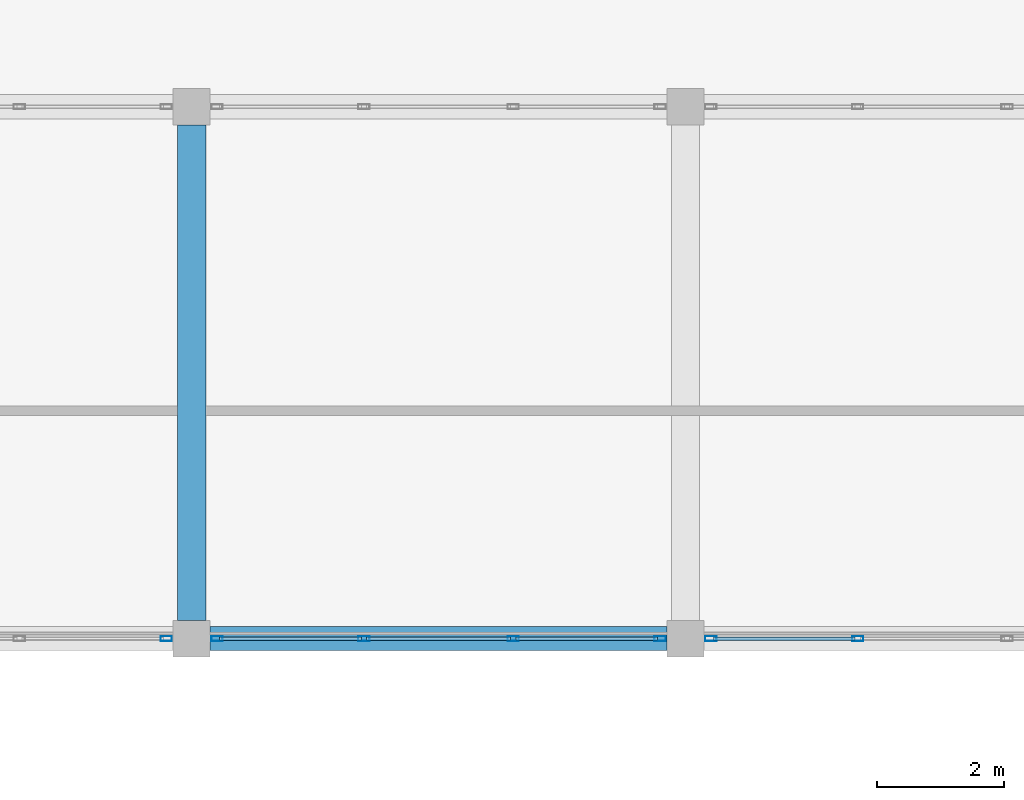
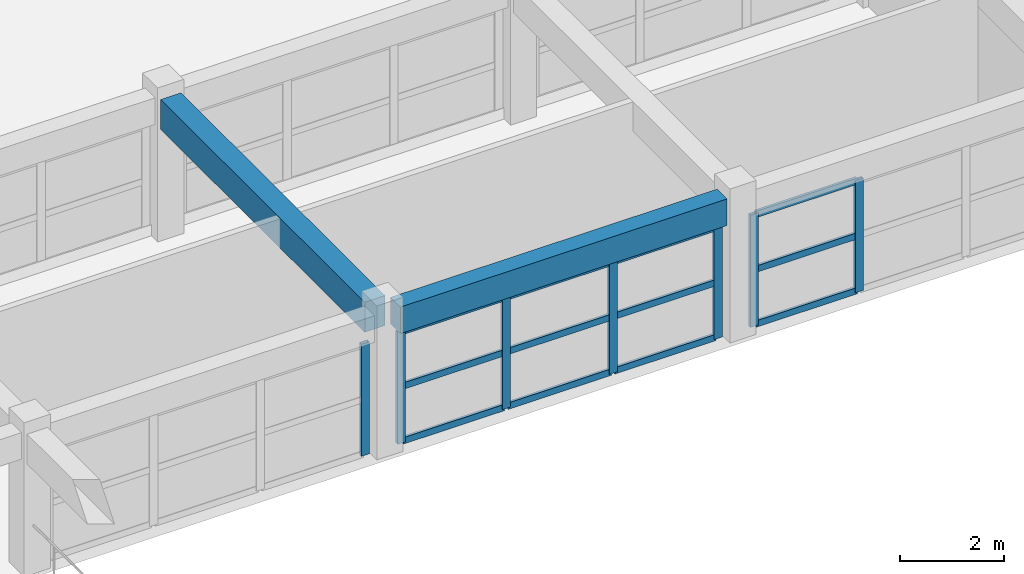
# One storey, part 69 of 101: 19 members, 2 beams, 3 elements without a shape of their own.
"""IFC4 building model written with IfcOpenShell, lengths in metres."""

import ifcopenshell
import ifcopenshell.guid

model = None  # the IFC model being written
_history = None  # IfcOwnerHistory: only IFC2X3 demands one
_inside = {}  # id of a spatial element -> (the spatial element, [elements in it])
_under = {}  # id of a project, library or spatial element -> (it, [spatial elements below it])
_declared = {}  # id of a project -> (the project, [libraries it declares])
_typed = {}  # id of a type object -> (the type object, [elements of that type])
_made_of = {}  # id of a material, layer set ... -> (it, [elements and type objects made of it])


def new_model(schema):
    """Start an empty IFC model of exactly this schema.

    Asked for "IFC4X3", IfcOpenShell would pick the latest addendum, in which some entities
    have other attributes; the version numbers below select the first issue.
    IFC2X3 requires an IfcOwnerHistory on every rooted entity: one is made here for all.
    """
    global model, _history
    if schema == "IFC4X3":
        model = ifcopenshell.file(schema_version=(4, 3, 0, 0))
    else:
        model = ifcopenshell.file(schema=schema)
    _inside.clear()
    _under.clear()
    _declared.clear()
    _typed.clear()
    _made_of.clear()
    _history = None
    if model.schema == "IFC2X3":
        org = make("IfcOrganization", Name="unknown")
        user = make(
            "IfcPersonAndOrganization",
            ThePerson=make("IfcPerson", FamilyName="unknown"),
            TheOrganization=org,
        )
        app = make(
            "IfcApplication",
            ApplicationDeveloper=org,
            Version="unknown",
            ApplicationFullName="unknown",
            ApplicationIdentifier="unknown",
        )
        _history = make(
            "IfcOwnerHistory",
            OwningUser=user,
            OwningApplication=app,
            ChangeAction="ADDED",
            CreationDate=0,
        )
    return model


def make(cls, **values):
    """One entity of the class cls with the attributes given. An attribute that is None is left unset."""
    return model.create_entity(
        cls, **{name: value for name, value in values.items() if value is not None}
    )


def rooted(cls, **values):
    """An entity with a GlobalId (a new one), such as an element, a storey or a relation."""
    return make(cls, GlobalId=ifcopenshell.guid.new(), OwnerHistory=_history, **values)


def si_unit(unit_type, name, prefix=None):
    """IfcSIUnit, for example si_unit("LENGTHUNIT", "METRE", prefix="MILLI")."""
    return make("IfcSIUnit", UnitType=unit_type, Prefix=prefix, Name=name)


def assignment(units):
    """IfcUnitAssignment: the units of a project."""
    return None if units is None else make("IfcUnitAssignment", Units=units)


def point(xyz):
    """IfcCartesianPoint."""
    return None if xyz is None else make("IfcCartesianPoint", Coordinates=xyz)


def direction(xyz):
    """IfcDirection."""
    return None if xyz is None else make("IfcDirection", DirectionRatios=xyz)


def frame(location, z_axis=None, x_axis=None):
    """IfcAxis2Placement3D, a coordinate frame: its origin and axes. An axis left out is left unset."""
    return make(
        "IfcAxis2Placement3D",
        Location=point(location),
        Axis=direction(z_axis),
        RefDirection=direction(x_axis),
    )


def frame_2d(location, x_axis=None):
    """IfcAxis2Placement2D, a coordinate frame in the plane: its origin and x axis."""
    return make(
        "IfcAxis2Placement2D", Location=point(location), RefDirection=direction(x_axis)
    )


def origin():
    """The frame at (0, 0, 0) with its axes left unset."""
    return frame((0.0, 0.0, 0.0))


def origin_2d():
    """The frame at (0, 0) in the plane with its x axis left unset."""
    return frame_2d((0.0, 0.0))


def place(relative_to, where):
    """IfcLocalPlacement: puts the frame where relative to a parent placement (None: the world)."""
    return make(
        "IfcLocalPlacement", PlacementRelTo=relative_to, RelativePlacement=where
    )


def context(
    kind, dimensions, precision=None, world=None, true_north=None, identifier=None
):
    """IfcGeometricRepresentationContext, for example the 3D "Model" context."""
    return make(
        "IfcGeometricRepresentationContext",
        ContextIdentifier=identifier,
        ContextType=kind,
        CoordinateSpaceDimension=dimensions,
        Precision=precision,
        WorldCoordinateSystem=world,
        TrueNorth=true_north,
    )


def subcontext(parent, identifier, kind, view, scale=None):
    """IfcGeometricRepresentationSubContext, for example "Body" below "Model"."""
    return make(
        "IfcGeometricRepresentationSubContext",
        ContextIdentifier=identifier,
        ContextType=kind,
        ParentContext=parent,
        TargetScale=scale,
        TargetView=view,
    )


def project(units=None, contexts=None):
    """IfcProject with its units and contexts."""
    return rooted(
        "IfcProject",
        Name="project",
        RepresentationContexts=contexts,
        UnitsInContext=assignment(units),
    )


def spatial(cls, under=None, at=None, **own):
    """A site, building, storey or space (cls), placed at a placement, below another one or the project."""
    s = rooted(cls, ObjectPlacement=at, **own)
    if under is not None:
        _under.setdefault(under.id(), (under, []))[1].append(s)
    return s


def profile(cls, at=None, kind="AREA", **sizes):
    """A parametric profile (cls). Its sizes go by their IFC names, for example OverallWidth=200.0."""
    return make(cls, ProfileType=kind, Position=at, **sizes)


def rectangle(**sizes):
    """IfcRectangleProfileDef."""
    return profile("IfcRectangleProfileDef", **sizes)


def hollow_rectangle(**sizes):
    """IfcRectangleHollowProfileDef."""
    return profile("IfcRectangleHollowProfileDef", **sizes)


def extrude(swept, where, along, depth):
    """IfcExtrudedAreaSolid: the profile swept, set in the frame where, extruded along a direction by depth."""
    return make(
        "IfcExtrudedAreaSolid",
        SweptArea=swept,
        Position=where,
        ExtrudedDirection=direction(along),
        Depth=depth,
    )


def shape(context_of_items, identifier, shape_type, items):
    """IfcShapeRepresentation: the items that make up one representation, for example the "Body"."""
    return make(
        "IfcShapeRepresentation",
        ContextOfItems=context_of_items,
        RepresentationIdentifier=identifier,
        RepresentationType=shape_type,
        Items=items,
    )


def material(Name=None, Category=None):
    """IfcMaterial."""
    return make("IfcMaterial", Name=Name, Category=Category)


def layer(
    of_material, thickness, ventilated=None, Name=None, Category=None, Priority=None
):
    """IfcMaterialLayer: one layer of a wall or slab, of a material (None: an air gap)."""
    return make(
        "IfcMaterialLayer",
        Material=of_material,
        LayerThickness=thickness,
        IsVentilated=ventilated,
        Name=Name,
        Category=Category,
        Priority=Priority,
    )


def layer_set(layers, Name=None):
    """IfcMaterialLayerSet."""
    return make("IfcMaterialLayerSet", MaterialLayers=layers, LayerSetName=Name)


def material_profile(
    of_material, cross_section, Name=None, Category=None, Priority=None
):
    """IfcMaterialProfile: a cross section and its material."""
    return make(
        "IfcMaterialProfile",
        Name=Name,
        Material=of_material,
        Profile=cross_section,
        Priority=Priority,
        Category=Category,
    )


def profile_set(profiles, Name=None, composite=None):
    """IfcMaterialProfileSet."""
    return make(
        "IfcMaterialProfileSet",
        Name=Name,
        MaterialProfiles=profiles,
        CompositeProfile=composite,
    )


def made_of(thing, what):
    """Note that an element or type object is made of a material, layer set ...; save() writes the relation."""
    if what is not None:
        _made_of.setdefault(what.id(), (what, []))[1].append(thing)
    return thing


def type_object(cls, material=None, **own):
    """A type object (cls), such as IfcWallType, which elements share."""
    return made_of(rooted(cls, **own), material)


def element(
    cls,
    number,
    at=None,
    inside=None,
    cuts=None,
    type_object=None,
    material=None,
    context=None,
    identifier="Body",
    shape_type=None,
    held_by="IfcProductDefinitionShape",
    body=None,
    shapes=None,
    **own,
):
    """One element of the class cls, such as IfcWall. Its Tag is "e" and its number.

    at: its placement. inside: the storey or other place that contains it. cuts: it is an
    opening in that element (IfcRelVoidsElement). A single representation is given by context,
    identifier, shape_type and body (its items); several are given by shapes. held_by: the class
    of the entity that holds the representations. save() writes the other relations.
    """
    e = rooted(cls, Tag="e%d" % number, ObjectPlacement=at, **own)
    if body is not None:
        shapes = [shape(context, identifier, shape_type, body)]
    if shapes is not None:
        e.Representation = make(held_by, Representations=shapes)
    if inside is not None:
        _inside.setdefault(inside.id(), (inside, []))[1].append(e)
    if cuts is not None:
        rooted(
            "IfcRelVoidsElement", RelatingBuildingElement=cuts, RelatedOpeningElement=e
        )
    if type_object is not None:
        _typed.setdefault(type_object.id(), (type_object, []))[1].append(e)
    return made_of(e, material)


def aggregate(whole, parts):
    """IfcRelAggregates: a whole, such as a stair, and the parts it consists of."""
    return rooted("IfcRelAggregates", RelatingObject=whole, RelatedObjects=parts)


def save(model, path):
    """Write the relations noted so far, then the file.

    IfcRelAggregates (storeys below a building ...), IfcRelContainedInSpatialStructure (elements
    in a storey), IfcRelDefinesByType, IfcRelAssociatesMaterial and IfcRelDeclares: one each for
    every whole, place, type object, material and project.
    """
    for whole, parts in _under.values():
        aggregate(whole, parts)
    for where, things in _inside.values():
        rooted(
            "IfcRelContainedInSpatialStructure",
            RelatedElements=things,
            RelatingStructure=where,
        )
    for kind, things in _typed.values():
        rooted("IfcRelDefinesByType", RelatedObjects=things, RelatingType=kind)
    for what, things in _made_of.values():
        rooted("IfcRelAssociatesMaterial", RelatedObjects=things, RelatingMaterial=what)
    for by, libraries in _declared.values():
        rooted("IfcRelDeclares", RelatingContext=by, RelatedDefinitions=libraries)
    model.write(path)


model = new_model("IFC4")

# Units and contexts
model_context = context("Model", 3, precision=1e-05, world=origin(), true_north=direction((0.0, 1.0)))
body_context = subcontext(model_context, "Body", "Model", "MODEL_VIEW")
ifc_project = project(units=[si_unit("LENGTHUNIT", "METRE"), si_unit("AREAUNIT", "SQUARE_METRE"), si_unit("VOLUMEUNIT", "CUBIC_METRE"), si_unit("PLANEANGLEUNIT", "RADIAN"), si_unit("MASSUNIT", "GRAM", prefix="KILO")], contexts=[model_context])

# Site, building, storey
site_placement = place(None, origin())
site = spatial("IfcSite", under=ifc_project, at=site_placement, CompositionType="ELEMENT")
building_placement = place(site_placement, origin())
building = spatial("IfcBuilding", under=site, at=building_placement, Name="Zizhar Promenade General Hospital", CompositionType="ELEMENT")
storey_placement = place(building_placement, frame((0.0, 0.0, 14.39990234375)))
storey = spatial("IfcBuildingStorey", under=building, at=storey_placement, Name="L03", CompositionType="ELEMENT", Elevation=14.39990234375)

# Beams
ifc_material_1 = material(Name="Concrete C35/45", Category="concrete")
ifc_material_profile_1 = material_profile(ifc_material_1, rectangle(XDim=0.3798828125, YDim=0.6201171875, at=origin_2d()))
ifc_profile_set_1 = profile_set([ifc_material_profile_1], Name="Concrete C35/45")
beam_type_1 = type_object("IfcBeamType", Name="BM-RC-380x620", PredefinedType="JOIST", material=ifc_profile_set_1)
beam_1_placement = place(storey_placement, frame((156.2900390625, 92.39990234375, 3.0), z_axis=(1.0, 0.0, 0.0), x_axis=(0.0, 1.0, 0.0)))
element("IfcBeam", 1, at=beam_1_placement, inside=storey, type_object=beam_type_1, Name="Grid Beam X L03 (20-11)", PredefinedType="JOIST", context=body_context, shape_type="SweptSolid", body=[
    extrude(rectangle(XDim=0.3798828125, YDim=0.6201171875, at=origin_2d()), origin(), (0.0, 0.0, 1.0), 7.219970703125),
])
ifc_material_2 = material(Name="Concrete C35/45", Category="concrete")
ifc_material_profile_2 = material_profile(ifc_material_2, rectangle(XDim=0.449951171875, YDim=0.699951171875, at=origin_2d()))
ifc_profile_set_2 = profile_set([ifc_material_profile_2], Name="Concrete C35/45")
beam_type_2 = type_object("IfcBeamType", Name="BM-RC-450x700", PredefinedType="BEAM", material=ifc_profile_set_2)
beam_2_placement = place(storey_placement, frame((156.0, 92.68994140625, 2.960205078125), z_axis=(0.0, 1.0, 0.0), x_axis=(-1.0, 0.0, 0.0)))
element("IfcBeam", 2, at=beam_2_placement, inside=storey, type_object=beam_type_2, Name="Grid Beam Y L03 (20-11)", PredefinedType="BEAM", context=body_context, shape_type="SweptSolid", body=[
    extrude(rectangle(XDim=0.449951171875, YDim=0.699951171875, at=origin_2d()), origin(), (0.0, 0.0, 1.0), 7.820068359375),
])

# Curtain wall, member
ifc_material_3 = material(Name="Anodised aluminium 6063-T6 and low-E glass", Category="aluminium")
ifc_layer = layer(ifc_material_3, 0.159912109375)
ifc_layer_set = layer_set([ifc_layer], Name="Anodised aluminium 6063-T6 and low-E glass")
curtain_wall_type = type_object("IfcCurtainWallType", Name="CW-CLN-CRT", PredefinedType="NOTDEFINED", material=ifc_layer_set)
curtain_wall_1_placement = place(storey_placement, origin())
curtain_wall_1 = element("IfcCurtainWall", 3, at=curtain_wall_1_placement, inside=storey, type_object=curtain_wall_type, Name="East Light Court North Glazing L03-19", PredefinedType="NOTDEFINED")
ifc_material_4 = material(Name="Anodised aluminium 6063-T6", Category="aluminium")
ifc_material_profile_3 = material_profile(ifc_material_4, hollow_rectangle(XDim=0.080078125, YDim=0.179931640625, WallThickness=0.0048828125, at=origin_2d()))
ifc_profile_set_3 = profile_set([ifc_material_profile_3], Name="Anodised aluminium 6063-T6")
member_type_1 = type_object("IfcMemberType", Name="CWM-ALU-180x80", PredefinedType="MULLION", material=ifc_profile_set_3)
member_1_placement = place(storey_placement, frame((155.60009765625, 92.39990234375, 0.0), z_axis=(0.0, 0.0, 1.0), x_axis=(0.0, -1.0, 0.0)))
member_1 = element("IfcMember", 4, at=member_1_placement, type_object=member_type_1, Name="CW-10 mullion 1", PredefinedType="MULLION", context=body_context, shape_type="SweptSolid", body=[
    extrude(hollow_rectangle(XDim=0.080078125, YDim=0.179931640625, WallThickness=0.0048828125, at=origin_2d()), origin(), (0.0, 0.0, 1.0), 2.6201171875),
])
aggregate(curtain_wall_1, [member_1])

# Curtain wall, members
curtain_wall_2_placement = place(storey_placement, origin())
curtain_wall_2 = element("IfcCurtainWall", 5, at=curtain_wall_2_placement, inside=storey, type_object=curtain_wall_type, Name="East Light Court North Glazing L03-20", PredefinedType="NOTDEFINED")
member_2_placement = place(storey_placement, frame((163.39990234375, 92.39990234375, 0.0), z_axis=(0.0, 0.0, 1.0), x_axis=(0.0, -1.0, 0.0)))
member_2 = element("IfcMember", 6, at=member_2_placement, type_object=member_type_1, Name="CW-10 mullion 1", PredefinedType="MULLION", context=body_context, shape_type="SweptSolid", body=[
    extrude(hollow_rectangle(XDim=0.080078125, YDim=0.179931640625, WallThickness=0.0048828125, at=origin_2d()), origin(), (0.0, 0.0, 1.0), 2.6201171875),
])
member_3_placement = place(storey_placement, frame((161.080078125, 92.39990234375, 0.0), z_axis=(0.0, 0.0, 1.0), x_axis=(0.0, -1.0, 0.0)))
member_3 = element("IfcMember", 7, at=member_3_placement, type_object=member_type_1, Name="CW-10 mullion 2", PredefinedType="MULLION", context=body_context, shape_type="SweptSolid", body=[
    extrude(hollow_rectangle(XDim=0.080078125, YDim=0.179931640625, WallThickness=0.0048828125, at=origin_2d()), origin(), (0.0, 0.0, 1.0), 2.6201171875),
])
member_4_placement = place(storey_placement, frame((158.719970703125, 92.39990234375, 0.0), z_axis=(0.0, 0.0, 1.0), x_axis=(0.0, -1.0, 0.0)))
member_4 = element("IfcMember", 8, at=member_4_placement, type_object=member_type_1, Name="CW-10 mullion 3", PredefinedType="MULLION", context=body_context, shape_type="SweptSolid", body=[
    extrude(hollow_rectangle(XDim=0.080078125, YDim=0.179931640625, WallThickness=0.0048828125, at=origin_2d()), origin(), (0.0, 0.0, 1.0), 2.6201171875),
])
member_5_placement = place(storey_placement, frame((156.39990234375, 92.39990234375, 0.0), z_axis=(0.0, 0.0, 1.0), x_axis=(0.0, -1.0, 0.0)))
member_5 = element("IfcMember", 9, at=member_5_placement, type_object=member_type_1, Name="CW-10 mullion 4", PredefinedType="MULLION", context=body_context, shape_type="SweptSolid", body=[
    extrude(hollow_rectangle(XDim=0.080078125, YDim=0.179931640625, WallThickness=0.0048828125, at=origin_2d()), origin(), (0.0, 0.0, 1.0), 2.6201171875),
])

curtain_wall_3_placement = place(storey_placement, origin())
curtain_wall_3 = element("IfcCurtainWall", 10, at=curtain_wall_3_placement, inside=storey, type_object=curtain_wall_type, Name="East Light Court North Glazing L03-21", PredefinedType="NOTDEFINED")
member_6_placement = place(storey_placement, frame((166.52001953125, 92.39990234375, 0.0), z_axis=(0.0, 0.0, 1.0), x_axis=(0.0, -1.0, 0.0)))
member_6 = element("IfcMember", 11, at=member_6_placement, type_object=member_type_1, Name="CW-10 mullion 3", PredefinedType="MULLION", context=body_context, shape_type="SweptSolid", body=[
    extrude(hollow_rectangle(XDim=0.080078125, YDim=0.179931640625, WallThickness=0.0048828125, at=origin_2d()), origin(), (0.0, 0.0, 1.0), 2.6201171875),
])
member_7_placement = place(storey_placement, frame((164.199951171875, 92.39990234375, 0.0), z_axis=(0.0, 0.0, 1.0), x_axis=(0.0, -1.0, 0.0)))
member_7 = element("IfcMember", 12, at=member_7_placement, type_object=member_type_1, Name="CW-10 mullion 4", PredefinedType="MULLION", context=body_context, shape_type="SweptSolid", body=[
    extrude(hollow_rectangle(XDim=0.080078125, YDim=0.179931640625, WallThickness=0.0048828125, at=origin_2d()), origin(), (0.0, 0.0, 1.0), 2.6201171875),
])

# Member
ifc_material_5 = material(Name="Anodised aluminium 6063-T6", Category="aluminium")
ifc_material_profile_4 = material_profile(ifc_material_5, hollow_rectangle(XDim=0.06005859375, YDim=0.14990234375, WallThickness=0.00390625, at=origin_2d()))
ifc_profile_set_4 = profile_set([ifc_material_profile_4], Name="Anodised aluminium 6063-T6")
member_type_2 = type_object("IfcMemberType", Name="CWT-ALU-150x60", PredefinedType="USERDEFINED", material=ifc_profile_set_4)
member_8_placement = place(storey_placement, frame((163.360107421875, 92.39990234375, 0.030029296875), z_axis=(-1.0, 0.0, 0.0), x_axis=(0.0, -1.0, 0.0)))
member_8 = element("IfcMember", 13, at=member_8_placement, type_object=member_type_2, Name="CW-10 transom 1.1", ObjectType="TRANSOM", PredefinedType="USERDEFINED", context=body_context, shape_type="SweptSolid", body=[
    extrude(hollow_rectangle(XDim=0.06005859375, YDim=0.14990234375, WallThickness=0.00390625, at=origin_2d()), origin(), (0.0, 0.0, 1.0), 2.239990234375),
])

member_9_placement = place(storey_placement, frame((163.360107421875, 92.39990234375, 1.31005859375), z_axis=(-1.0, 0.0, 0.0), x_axis=(0.0, -1.0, 0.0)))
member_9 = element("IfcMember", 14, at=member_9_placement, type_object=member_type_2, Name="CW-10 transom 1.2", ObjectType="TRANSOM", PredefinedType="USERDEFINED", context=body_context, shape_type="SweptSolid", body=[
    extrude(hollow_rectangle(XDim=0.06005859375, YDim=0.14990234375, WallThickness=0.00390625, at=origin_2d()), origin(), (0.0, 0.0, 1.0), 2.239990234375),
])

member_10_placement = place(storey_placement, frame((163.360107421875, 92.39990234375, 2.590087890625), z_axis=(-1.0, 0.0, 0.0), x_axis=(0.0, -1.0, 0.0)))
member_10 = element("IfcMember", 15, at=member_10_placement, type_object=member_type_2, Name="CW-10 transom 1.3", ObjectType="TRANSOM", PredefinedType="USERDEFINED", context=body_context, shape_type="SweptSolid", body=[
    extrude(hollow_rectangle(XDim=0.06005859375, YDim=0.14990234375, WallThickness=0.00390625, at=origin_2d()), origin(), (0.0, 0.0, 1.0), 2.239990234375),
])

member_11_placement = place(storey_placement, frame((161.0400390625, 92.39990234375, 0.030029296875), z_axis=(-1.0, 0.0, 0.0), x_axis=(0.0, -1.0, 0.0)))
member_11 = element("IfcMember", 16, at=member_11_placement, type_object=member_type_2, Name="CW-10 transom 2.1", ObjectType="TRANSOM", PredefinedType="USERDEFINED", context=body_context, shape_type="SweptSolid", body=[
    extrude(hollow_rectangle(XDim=0.06005859375, YDim=0.14990234375, WallThickness=0.00390625, at=origin_2d()), origin(), (0.0, 0.0, 1.0), 2.280029296875),
])

member_12_placement = place(storey_placement, frame((161.0400390625, 92.39990234375, 1.31005859375), z_axis=(-1.0, 0.0, 0.0), x_axis=(0.0, -1.0, 0.0)))
member_12 = element("IfcMember", 17, at=member_12_placement, type_object=member_type_2, Name="CW-10 transom 2.2", ObjectType="TRANSOM", PredefinedType="USERDEFINED", context=body_context, shape_type="SweptSolid", body=[
    extrude(hollow_rectangle(XDim=0.06005859375, YDim=0.14990234375, WallThickness=0.00390625, at=origin_2d()), origin(), (0.0, 0.0, 1.0), 2.280029296875),
])

member_13_placement = place(storey_placement, frame((161.0400390625, 92.39990234375, 2.590087890625), z_axis=(-1.0, 0.0, 0.0), x_axis=(0.0, -1.0, 0.0)))
member_13 = element("IfcMember", 18, at=member_13_placement, type_object=member_type_2, Name="CW-10 transom 2.3", ObjectType="TRANSOM", PredefinedType="USERDEFINED", context=body_context, shape_type="SweptSolid", body=[
    extrude(hollow_rectangle(XDim=0.06005859375, YDim=0.14990234375, WallThickness=0.00390625, at=origin_2d()), origin(), (0.0, 0.0, 1.0), 2.280029296875),
])

member_14_placement = place(storey_placement, frame((158.679931640625, 92.39990234375, 0.030029296875), z_axis=(-1.0, 0.0, 0.0), x_axis=(0.0, -1.0, 0.0)))
member_14 = element("IfcMember", 19, at=member_14_placement, type_object=member_type_2, Name="CW-10 transom 3.1", ObjectType="TRANSOM", PredefinedType="USERDEFINED", context=body_context, shape_type="SweptSolid", body=[
    extrude(hollow_rectangle(XDim=0.06005859375, YDim=0.14990234375, WallThickness=0.00390625, at=origin_2d()), origin(), (0.0, 0.0, 1.0), 2.239990234375),
])

member_15_placement = place(storey_placement, frame((158.679931640625, 92.39990234375, 1.31005859375), z_axis=(-1.0, 0.0, 0.0), x_axis=(0.0, -1.0, 0.0)))
member_15 = element("IfcMember", 20, at=member_15_placement, type_object=member_type_2, Name="CW-10 transom 3.2", ObjectType="TRANSOM", PredefinedType="USERDEFINED", context=body_context, shape_type="SweptSolid", body=[
    extrude(hollow_rectangle(XDim=0.06005859375, YDim=0.14990234375, WallThickness=0.00390625, at=origin_2d()), origin(), (0.0, 0.0, 1.0), 2.239990234375),
])

member_16_placement = place(storey_placement, frame((158.679931640625, 92.39990234375, 2.590087890625), z_axis=(-1.0, 0.0, 0.0), x_axis=(0.0, -1.0, 0.0)))
member_16 = element("IfcMember", 21, at=member_16_placement, type_object=member_type_2, Name="CW-10 transom 3.3", ObjectType="TRANSOM", PredefinedType="USERDEFINED", context=body_context, shape_type="SweptSolid", body=[
    extrude(hollow_rectangle(XDim=0.06005859375, YDim=0.14990234375, WallThickness=0.00390625, at=origin_2d()), origin(), (0.0, 0.0, 1.0), 2.239990234375),
])

aggregate(curtain_wall_2, [member_2, member_3, member_4, member_5, member_8, member_9, member_10, member_11, member_12, member_13, member_14, member_15, member_16])

member_17_placement = place(storey_placement, frame((166.47998046875, 92.39990234375, 0.030029296875), z_axis=(-1.0, 0.0, 0.0), x_axis=(0.0, -1.0, 0.0)))
member_17 = element("IfcMember", 22, at=member_17_placement, type_object=member_type_2, Name="CW-10 transom 3.1", ObjectType="TRANSOM", PredefinedType="USERDEFINED", context=body_context, shape_type="SweptSolid", body=[
    extrude(hollow_rectangle(XDim=0.06005859375, YDim=0.14990234375, WallThickness=0.00390625, at=origin_2d()), origin(), (0.0, 0.0, 1.0), 2.239990234375),
])

member_18_placement = place(storey_placement, frame((166.47998046875, 92.39990234375, 1.31005859375), z_axis=(-1.0, 0.0, 0.0), x_axis=(0.0, -1.0, 0.0)))
member_18 = element("IfcMember", 23, at=member_18_placement, type_object=member_type_2, Name="CW-10 transom 3.2", ObjectType="TRANSOM", PredefinedType="USERDEFINED", context=body_context, shape_type="SweptSolid", body=[
    extrude(hollow_rectangle(XDim=0.06005859375, YDim=0.14990234375, WallThickness=0.00390625, at=origin_2d()), origin(), (0.0, 0.0, 1.0), 2.239990234375),
])

member_19_placement = place(storey_placement, frame((166.47998046875, 92.39990234375, 2.590087890625), z_axis=(-1.0, 0.0, 0.0), x_axis=(0.0, -1.0, 0.0)))
member_19 = element("IfcMember", 24, at=member_19_placement, type_object=member_type_2, Name="CW-10 transom 3.3", ObjectType="TRANSOM", PredefinedType="USERDEFINED", context=body_context, shape_type="SweptSolid", body=[
    extrude(hollow_rectangle(XDim=0.06005859375, YDim=0.14990234375, WallThickness=0.00390625, at=origin_2d()), origin(), (0.0, 0.0, 1.0), 2.239990234375),
])

aggregate(curtain_wall_3, [member_6, member_7, member_17, member_18, member_19])

save(model, "model.ifc")
